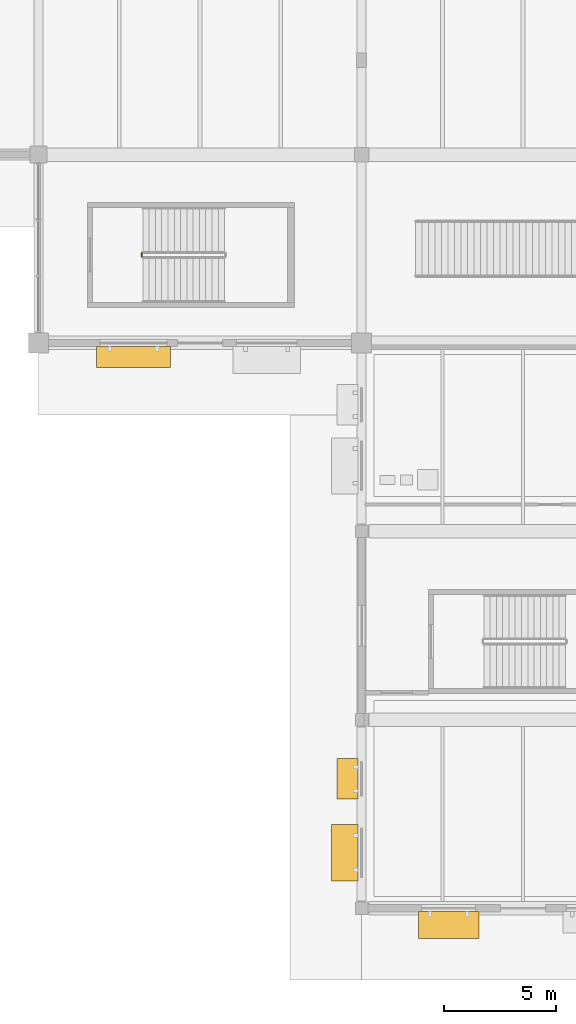
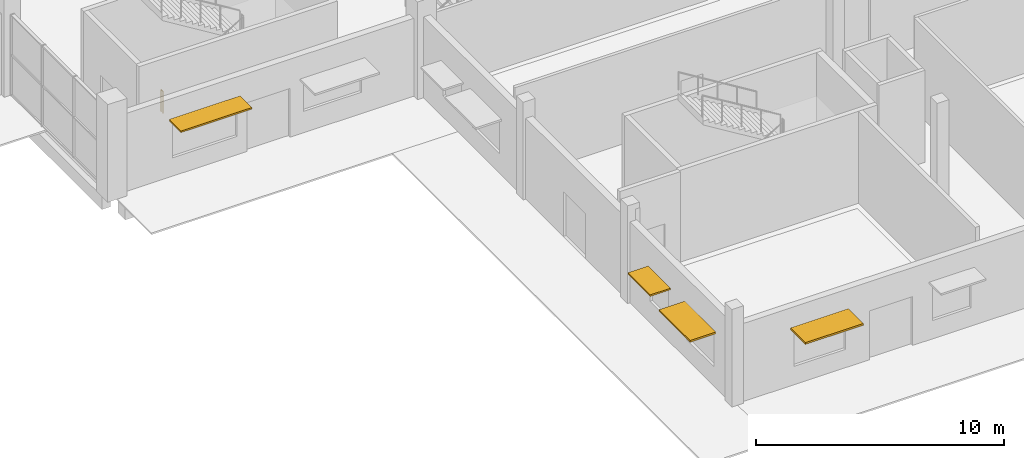
# One storey, part 107 of 130: 4 shading devices, 1 railing.
"""IFC4 building model written with IfcOpenShell, lengths in metres."""

from ifc_helpers import new_model, si_unit, direction, frame, origin, origin_2d, place, context, subcontext, project, spatial, rectangle, circle, extrude, material, layer, layer_set, type_object, element, save


model = new_model("IFC4")

# Units and contexts
model_context = context("Model", 3, precision=1e-05, world=origin(), true_north=direction((0.0, 1.0)))
body_context = subcontext(model_context, "Body", "Model", "MODEL_VIEW")
ifc_project = project(units=[si_unit("LENGTHUNIT", "METRE"), si_unit("AREAUNIT", "SQUARE_METRE"), si_unit("VOLUMEUNIT", "CUBIC_METRE"), si_unit("PLANEANGLEUNIT", "RADIAN"), si_unit("MASSUNIT", "GRAM", prefix="KILO"), si_unit("THERMODYNAMICTEMPERATUREUNIT", "KELVIN")], contexts=[model_context])

# Site, building, storey
site_placement = place(None, origin())
site = spatial("IfcSite", under=ifc_project, at=site_placement, CompositionType="ELEMENT")
building_placement = place(site_placement, origin())
building = spatial("IfcBuilding", under=site, at=building_placement, Name="Nduvali Passage Aquatics Centre", CompositionType="ELEMENT")
storey_placement = place(building_placement, origin())
storey = spatial("IfcBuildingStorey", under=building, at=storey_placement, Name="L00", CompositionType="ELEMENT", Elevation=0.0)

# Shading devices
ifc_material_1 = material(Name="Aluminium EN AW-6063 T6", Category="aluminium")
ifc_layer_1 = layer(ifc_material_1, 0.090087890625, Name="Aluminium EN AW-6063 T6")
ifc_layer_set_1 = layer_set([ifc_layer_1], Name="Aluminium EN AW-6063 T6")
shading_device_type_1 = type_object("IfcShadingDeviceType", Name="ENV-SHD-SUN1", PredefinedType="AWNING", material=ifc_layer_set_1)
shading_device_1_placement = place(storey_placement, frame((43.47607421875, -0.75, 2.7548828125), z_axis=(0.0, 0.0, 1.0), x_axis=(1.0, 0.0, 0.0)))
element("IfcShadingDevice", 1, at=shading_device_1_placement, inside=storey, type_object=shading_device_type_1, Name="L00 Horizontal Monsoon Sunshade 0001", PredefinedType="AWNING", context=body_context, shape_type="SweptSolid", body=[
    extrude(rectangle(XDim=2.699951171875, YDim=1.199951171875, at=origin_2d()), origin(), (0.0, 0.0, 1.0), 0.090087890625),
])
shading_device_2_placement = place(storey_placement, frame((38.85009765625, 2.472900390625, 2.65478515625), z_axis=(0.0, 0.0, 1.0), x_axis=(0.0, -1.0, 0.0)))
element("IfcShadingDevice", 2, at=shading_device_2_placement, inside=storey, type_object=shading_device_type_1, Name="L00 Horizontal Monsoon Sunshade 0015", PredefinedType="AWNING", context=body_context, shape_type="SweptSolid", body=[
    extrude(rectangle(XDim=2.5, YDim=1.199951171875, at=origin_2d()), origin(), (0.0, 0.0, 1.0), 0.090087890625),
])
ifc_layer_2 = layer(ifc_material_1, 0.080078125, Name="Aluminium EN AW-6063 T6")
ifc_layer_set_2 = layer_set([ifc_layer_2], Name="Aluminium EN AW-6063 T6")
shading_device_type_2 = type_object("IfcShadingDeviceType", Name="ENV-SHD-SUN2", PredefinedType="AWNING", material=ifc_layer_set_2)
shading_device_3_placement = place(storey_placement, frame((38.97509765625, 5.77001953125, 2.60986328125), z_axis=(0.0, 0.0, 1.0), x_axis=(0.0, -1.0, 0.0)))
element("IfcShadingDevice", 3, at=shading_device_3_placement, inside=storey, type_object=shading_device_type_2, Name="L00 Horizontal Monsoon Sunshade 0014", PredefinedType="AWNING", context=body_context, shape_type="SweptSolid", body=[
    extrude(rectangle(XDim=1.800048828125, YDim=0.949951171875, at=origin_2d()), origin(), (0.0, 0.0, 1.0), 0.080078125),
])
shading_device_4_placement = place(storey_placement, frame((29.429931640625, 24.574951171875, 2.760009765625), z_axis=(0.0, 0.0, 1.0), x_axis=(1.0, 0.0, 0.0)))
element("IfcShadingDevice", 4, at=shading_device_4_placement, inside=storey, type_object=shading_device_type_2, Name="L00 Horizontal Monsoon Sunshade 0086", PredefinedType="AWNING", context=body_context, shape_type="SweptSolid", body=[
    extrude(rectangle(XDim=3.300048828125, YDim=0.949951171875, at=origin_2d()), origin(), (0.0, 0.0, 1.0), 0.080078125),
])

# Railing
ifc_material_2 = material(Name="Stainless steel balustrade", Category="steel")
railing_type = type_object("IfcRailingType", Name="INT-RLG-GRD110", PredefinedType="GUARDRAIL", material=ifc_material_2)
railing_placement = place(storey_placement, frame((29.800048828125, 29.050048828125, 0.0)))
element("IfcRailing", 5, at=railing_placement, inside=storey, type_object=railing_type, Name="L00 ST13 stair guard 4", PredefinedType="GUARDRAIL", context=body_context, shape_type="SweptSolid", body=[
    extrude(circle(Radius=0.02392578125, at=origin_2d()), frame((0.0, 0.0, 1.076171875), z_axis=(0.0, 1.0, 0.0), x_axis=(-1.0, 0.0, 0.0)), (0.0, 0.0, 1.0), 0.14990234375),
    extrude(circle(Radius=0.02099609375, at=origin_2d()), origin(), (0.0, 0.0, 1.0), 1.052001953125),
    extrude(circle(Radius=0.02099609375, at=origin_2d()), frame((0.0, 0.14990234375, 0.0)), (0.0, 0.0, 1.0), 1.052001953125),
])

save(model, "model.ifc")
